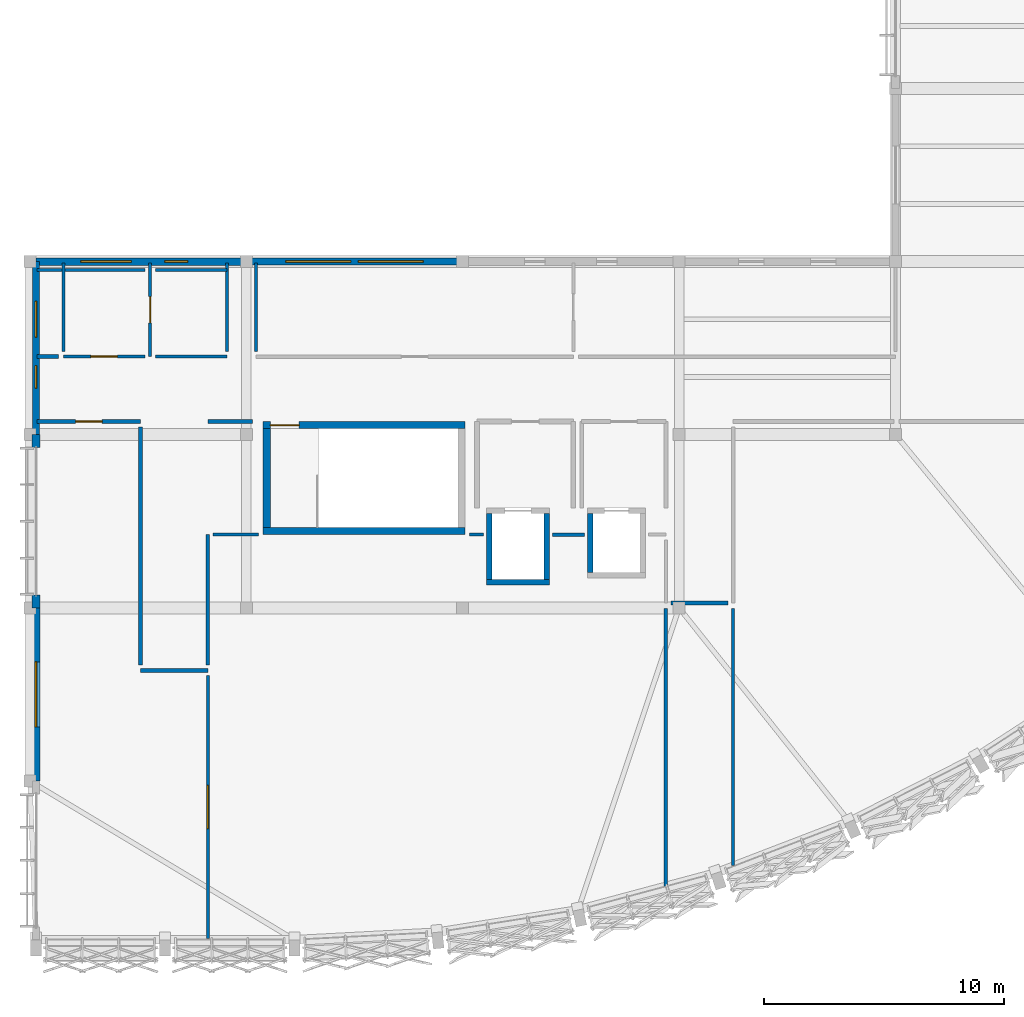
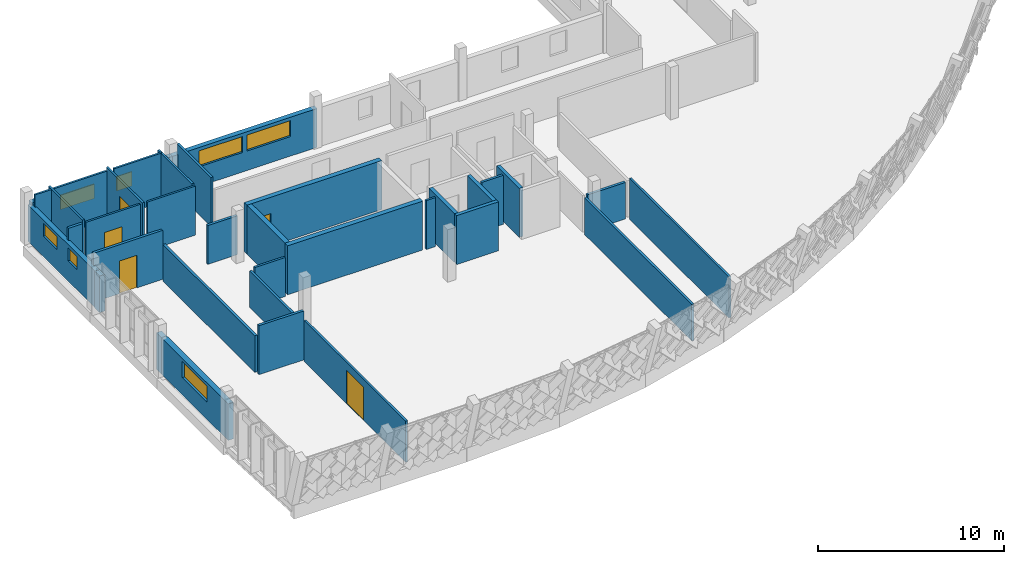
# One storey, part 21 of 24: 34 walls, 7 windows, 5 doors, 12 openings.
"""IFC4 building model written with IfcOpenShell, lengths in metres."""

from ifc_helpers import new_model, si_unit, direction, frame, frame_2d, origin, place, context, subcontext, project, spatial, rectangle, extrude, material, layer, layer_set, type_object, element, fill, save


model = new_model("IFC4")

# Units and contexts
model_context = context("Model", 3, precision=1e-05, world=origin(), true_north=direction((0.0, 1.0)))
body_context = subcontext(model_context, "Body", "Model", "MODEL_VIEW")
ifc_project = project(units=[si_unit("LENGTHUNIT", "METRE"), si_unit("AREAUNIT", "SQUARE_METRE"), si_unit("VOLUMEUNIT", "CUBIC_METRE"), si_unit("PLANEANGLEUNIT", "RADIAN"), si_unit("MASSUNIT", "GRAM", prefix="KILO")], contexts=[model_context])

# Site, building, storey
site_placement = place(None, origin())
site = spatial("IfcSite", under=ifc_project, at=site_placement, CompositionType="ELEMENT")
building_placement = place(site_placement, origin())
building = spatial("IfcBuilding", under=site, at=building_placement, Name="Chiffa Square Polytechnic", CompositionType="ELEMENT")
storey_placement = place(building_placement, frame((0.0, 0.0, 26.39990234375)))
storey = spatial("IfcBuildingStorey", under=building, at=storey_placement, Name="L06", CompositionType="ELEMENT", Elevation=26.39990234375)

# Wall
ifc_material_1 = material(Name="Concrete C40/50", Category="concrete")
ifc_layer_1 = layer(ifc_material_1, 0.300048828125, Name="Concrete C40/50")
ifc_layer_set_1 = layer_set([ifc_layer_1], Name="Concrete C40/50")
wall_type_1 = type_object("IfcWallType", Name="WL-CORE-300", PredefinedType="SHEAR", material=ifc_layer_set_1)
wall_1_placement = place(storey_placement, frame((121.89990234375, 17.60009765625, 0.0), z_axis=(0.0, 0.0, 1.0), x_axis=(1.0, 0.0, 0.0)))
element("IfcWall", 1, at=wall_1_placement, inside=storey, type_object=wall_type_1, Name="Core or enclosure wall WC-CORE-V1A-L06-SOUTH", PredefinedType="SHEAR", context=body_context, shape_type="SweptSolid", body=[
    extrude(rectangle(XDim=8.400146484375, YDim=0.300048828125, at=frame_2d((4.2001953125, 0.0))), origin(), (0.0, 0.0, 1.0), 3.22021484375),
])

# Wall, opening, door
wall_2_placement = place(storey_placement, frame((121.89990234375, 22.0, 0.0), z_axis=(0.0, 0.0, 1.0), x_axis=(1.0, 0.0, 0.0)))
wall_2 = element("IfcWall", 2, at=wall_2_placement, inside=storey, type_object=wall_type_1, Name="Core or enclosure wall WC-CORE-V1A-L06-NORTH", PredefinedType="SHEAR", context=body_context, shape_type="SweptSolid", body=[
    extrude(rectangle(XDim=8.400146484375, YDim=0.300048828125, at=frame_2d((4.2001953125, 0.0))), origin(), (0.0, 0.0, 1.0), 3.22021484375),
])
opening_1_placement = place(wall_2_placement, frame((0.300048828125, 0.0, 0.0)))
opening_1 = element("IfcOpeningElement", 3, at=opening_1_placement, cuts=wall_2, Name="Opening DS-L06-008", PredefinedType="OPENING", context=body_context, shape_type="SweptSolid", body=[
    extrude(rectangle(XDim=1.199951171875, YDim=2.14990234375, at=frame_2d((0.60009765625, 1.074951171875))), frame((0.0, 0.16015625, 0.0), z_axis=(0.0, -1.0, 0.0), x_axis=(1.0, 0.0, 0.0)), (0.0, 0.0, 1.0), 0.320068359375),
])
ifc_material_2 = material(Name="Fire-rated painted steel leaf", Category="steel")
door_type_1 = type_object("IfcDoorType", Name="DR-STAIR-1200", OperationType="NOTDEFINED", PredefinedType="DOOR", material=ifc_material_2)
door_1_placement = place(opening_1_placement, origin())
door_1 = element("IfcDoor", 4, at=door_1_placement, inside=storey, type_object=door_type_1, Name="Enclosure door DS-L06-008", OperationType="SINGLE_SWING_RIGHT", OverallHeight=2.14990234375, OverallWidth=1.199951171875, PredefinedType="DOOR", context=body_context, shape_type="SweptSolid", body=[
    extrude(rectangle(XDim=1.199951171875, YDim=2.14990234375, at=frame_2d((0.60009765625, 1.074951171875))), frame((0.0, 0.02490234375, 0.0), z_axis=(0.0, -1.0, 0.0), x_axis=(1.0, 0.0, 0.0)), (0.0, 0.0, 1.0), 0.050048828125),
])
fill(opening_1, door_1)

# Wall
wall_3_placement = place(storey_placement, frame((122.050048828125, 17.75, 0.0), z_axis=(0.0, 0.0, 1.0), x_axis=(0.0, 1.0, 0.0)))
element("IfcWall", 5, at=wall_3_placement, inside=storey, type_object=wall_type_1, Name="Core or enclosure wall WC-CORE-V1A-L06-WEST", PredefinedType="SHEAR", context=body_context, shape_type="SweptSolid", body=[
    extrude(rectangle(XDim=4.10009765625, YDim=0.300048828125, at=frame_2d((2.050048828125, 0.0))), origin(), (0.0, 0.0, 1.0), 3.22021484375),
])

# Wall, openings, windows
ifc_material_3 = material(Name="Precast concrete C40/50", Category="concrete")
ifc_layer_2 = layer(ifc_material_3, 0.300048828125, Name="Precast concrete C40/50")
ifc_layer_set_2 = layer_set([ifc_layer_2], Name="Precast concrete C40/50")
wall_type_2 = type_object("IfcWallType", Name="WL-EXT-PC300", PredefinedType="SOLIDWALL", material=ifc_layer_set_2)
wall_4_placement = place(storey_placement, frame((130.199951171875, 28.800048828125, 0.0), z_axis=(0.0, 0.0, 1.0), x_axis=(-1.0, 0.0, 0.0)))
wall_4 = element("IfcWall", 6, at=wall_4_placement, inside=storey, type_object=wall_type_2, Name="Exterior wall WE-V1-L06-0096", PredefinedType="SOLIDWALL", context=body_context, shape_type="SweptSolid", body=[
    extrude(rectangle(XDim=9.0, YDim=0.300048828125, at=frame_2d((4.5, 0.0))), origin(), (0.0, 0.0, 1.0), 2.55517578125),
])
opening_2_placement = place(wall_4_placement, frame((1.64990234375, 0.0, 1.284912109375)))
opening_2 = element("IfcOpeningElement", 7, at=opening_2_placement, cuts=wall_4, Name="Opening WCL-02", PredefinedType="OPENING", context=body_context, shape_type="SweptSolid", body=[
    extrude(rectangle(XDim=2.699951171875, YDim=1.050048828125, at=frame_2d((1.35009765625, 0.52490234375))), frame((0.0, 0.16015625, 0.0), z_axis=(0.0, -1.0, 0.0), x_axis=(1.0, 0.0, 0.0)), (0.0, 0.0, 1.0), 0.320068359375),
])
opening_3_placement = place(wall_4_placement, frame((4.64990234375, 0.0, 1.284912109375)))
opening_3 = element("IfcOpeningElement", 8, at=opening_3_placement, cuts=wall_4, Name="Opening WCL-02", PredefinedType="OPENING", context=body_context, shape_type="SweptSolid", body=[
    extrude(rectangle(XDim=2.699951171875, YDim=1.050048828125, at=frame_2d((1.35009765625, 0.52490234375))), frame((0.0, 0.16015625, 0.0), z_axis=(0.0, -1.0, 0.0), x_axis=(1.0, 0.0, 0.0)), (0.0, 0.0, 1.0), 0.320068359375),
])
ifc_material_4 = material(Name="Double glazing in thermally broken aluminium frame", Category="aluminium")
window_type_1 = type_object("IfcWindowType", Name="WIN-CLR-2700X1050", PartitioningType="DOUBLE_PANEL_VERTICAL", PredefinedType="WINDOW", material=ifc_material_4)
window_1_placement = place(opening_2_placement, origin())
window_1 = element("IfcWindow", 9, at=window_1_placement, inside=storey, type_object=window_type_1, Name="Facade window WN-L06-0097", OverallHeight=1.050048828125, OverallWidth=2.699951171875, PartitioningType="DOUBLE_PANEL_VERTICAL", PredefinedType="WINDOW", context=body_context, shape_type="SweptSolid", body=[
    extrude(rectangle(XDim=2.699951171875, YDim=1.050048828125, at=frame_2d((1.35009765625, 0.52490234375))), frame((0.0, 0.030029296875, 0.0), z_axis=(0.0, -1.0, 0.0), x_axis=(1.0, 0.0, 0.0)), (0.0, 0.0, 1.0), 0.06005859375),
])
fill(opening_2, window_1)
window_2_placement = place(opening_3_placement, origin())
window_2 = element("IfcWindow", 10, at=window_2_placement, inside=storey, type_object=window_type_1, Name="Facade window WN-L06-0098", OverallHeight=1.050048828125, OverallWidth=2.699951171875, PartitioningType="DOUBLE_PANEL_VERTICAL", PredefinedType="WINDOW", context=body_context, shape_type="SweptSolid", body=[
    extrude(rectangle(XDim=2.699951171875, YDim=1.050048828125, at=frame_2d((1.35009765625, 0.52490234375))), frame((0.0, 0.030029296875, 0.0), z_axis=(0.0, -1.0, 0.0), x_axis=(1.0, 0.0, 0.0)), (0.0, 0.0, 1.0), 0.06005859375),
])
fill(opening_3, window_2)

wall_5_placement = place(storey_placement, frame((112.449951171875, 28.800048828125, 0.0), z_axis=(0.0, 0.0, 1.0), x_axis=(0.0, -1.0, 0.0)))
wall_5 = element("IfcWall", 11, at=wall_5_placement, inside=storey, type_object=wall_type_2, Name="Exterior wall WE-V1-L06-0098", PredefinedType="SOLIDWALL", context=body_context, shape_type="SweptSolid", body=[
    extrude(rectangle(XDim=7.199951171875, YDim=0.300048828125, at=frame_2d((3.60009765625, 0.0))), origin(), (0.0, 0.0, 1.0), 2.405029296875),
])
opening_4_placement = place(wall_5_placement, frame((1.64990234375, 0.0, 1.3349609375)))
opening_4 = element("IfcOpeningElement", 12, at=opening_4_placement, cuts=wall_5, Name="Opening WCL-06", PredefinedType="OPENING", context=body_context, shape_type="SweptSolid", body=[
    extrude(rectangle(XDim=1.5, YDim=0.85009765625, at=frame_2d((0.75, 0.425048828125))), frame((0.0, 0.16015625, 0.0), z_axis=(0.0, -1.0, 0.0), x_axis=(1.0, 0.0, 0.0)), (0.0, 0.0, 1.0), 0.320068359375),
])
opening_5_placement = place(wall_5_placement, frame((4.324951171875, 0.0, 1.3349609375)))
opening_5 = element("IfcOpeningElement", 13, at=opening_5_placement, cuts=wall_5, Name="Opening W-31", PredefinedType="OPENING", context=body_context, shape_type="SweptSolid", body=[
    extrude(rectangle(XDim=0.949951171875, YDim=0.85009765625, at=frame_2d((0.47509765625, 0.425048828125))), frame((0.0, 0.16015625, 0.0), z_axis=(0.0, -1.0, 0.0), x_axis=(1.0, 0.0, 0.0)), (0.0, 0.0, 1.0), 0.320068359375),
])
window_type_2 = type_object("IfcWindowType", Name="WIN-CLR-1500X0850", PartitioningType="DOUBLE_PANEL_VERTICAL", PredefinedType="WINDOW", material=ifc_material_4)
window_3_placement = place(opening_4_placement, origin())
window_3 = element("IfcWindow", 14, at=window_3_placement, inside=storey, type_object=window_type_2, Name="Facade window WN-L06-0101", OverallHeight=0.85009765625, OverallWidth=1.5, PartitioningType="DOUBLE_PANEL_VERTICAL", PredefinedType="WINDOW", context=body_context, shape_type="SweptSolid", body=[
    extrude(rectangle(XDim=1.5, YDim=0.85009765625, at=frame_2d((0.75, 0.425048828125))), frame((0.0, 0.030029296875, 0.0), z_axis=(0.0, -1.0, 0.0), x_axis=(1.0, 0.0, 0.0)), (0.0, 0.0, 1.0), 0.06005859375),
])
fill(opening_4, window_3)
window_type_3 = type_object("IfcWindowType", Name="WIN-OFF-0950X0850", PartitioningType="DOUBLE_PANEL_VERTICAL", PredefinedType="WINDOW", material=ifc_material_4)
window_4_placement = place(opening_5_placement, origin())
window_4 = element("IfcWindow", 15, at=window_4_placement, inside=storey, type_object=window_type_3, Name="Facade window WN-L06-0102", OverallHeight=0.85009765625, OverallWidth=0.949951171875, PartitioningType="DOUBLE_PANEL_VERTICAL", PredefinedType="WINDOW", context=body_context, shape_type="SweptSolid", body=[
    extrude(rectangle(XDim=0.949951171875, YDim=0.85009765625, at=frame_2d((0.47509765625, 0.425048828125))), frame((0.0, 0.030029296875, 0.0), z_axis=(0.0, -1.0, 0.0), x_axis=(1.0, 0.0, 0.0)), (0.0, 0.0, 1.0), 0.06005859375),
])
fill(opening_5, window_4)

ifc_layer_3 = layer(ifc_material_3, 0.320068359375, Name="Precast concrete C40/50")
ifc_layer_set_3 = layer_set([ifc_layer_3], Name="Precast concrete C40/50")
wall_type_3 = type_object("IfcWallType", Name="WL-EXT-PC320", PredefinedType="SOLIDWALL", material=ifc_layer_set_3)
wall_6_placement = place(storey_placement, frame((121.199951171875, 28.800048828125, 0.0), z_axis=(0.0, 0.0, 1.0), x_axis=(-1.0, 0.0, 0.0)))
wall_6 = element("IfcWall", 16, at=wall_6_placement, inside=storey, type_object=wall_type_3, Name="Exterior wall WE-V1-L06-0097", PredefinedType="SOLIDWALL", context=body_context, shape_type="SweptSolid", body=[
    extrude(rectangle(XDim=8.75, YDim=0.320068359375, at=frame_2d((4.375, 0.0))), origin(), (0.0, 0.0, 1.0), 2.55517578125),
])
opening_6_placement = place(wall_6_placement, frame((2.44189453125, 0.0, 1.385009765625)))
opening_6 = element("IfcOpeningElement", 17, at=opening_6_placement, cuts=wall_6, Name="Opening W-29", PredefinedType="OPENING", context=body_context, shape_type="SweptSolid", body=[
    extrude(rectangle(XDim=0.949951171875, YDim=0.949951171875, at=frame_2d((0.47509765625, 0.47509765625))), frame((0.0, 0.169921875, 0.0), z_axis=(0.0, -1.0, 0.0), x_axis=(1.0, 0.0, 0.0)), (0.0, 0.0, 1.0), 0.340087890625),
])
opening_7_placement = place(wall_6_placement, frame((4.782958984375, 0.0, 1.385009765625)))
opening_7 = element("IfcOpeningElement", 18, at=opening_7_placement, cuts=wall_6, Name="Opening WCL-04", PredefinedType="OPENING", context=body_context, shape_type="SweptSolid", body=[
    extrude(rectangle(XDim=2.10009765625, YDim=0.949951171875, at=frame_2d((1.050048828125, 0.47509765625))), frame((0.0, 0.169921875, 0.0), z_axis=(0.0, -1.0, 0.0), x_axis=(1.0, 0.0, 0.0)), (0.0, 0.0, 1.0), 0.340087890625),
])
window_type_4 = type_object("IfcWindowType", Name="WIN-CLR-2100X0950", PartitioningType="DOUBLE_PANEL_VERTICAL", PredefinedType="WINDOW", material=ifc_material_4)
window_5_placement = place(opening_7_placement, origin())
window_5 = element("IfcWindow", 19, at=window_5_placement, inside=storey, type_object=window_type_4, Name="Facade window WN-L06-0100", OverallHeight=0.949951171875, OverallWidth=2.10009765625, PartitioningType="DOUBLE_PANEL_VERTICAL", PredefinedType="WINDOW", context=body_context, shape_type="SweptSolid", body=[
    extrude(rectangle(XDim=2.10009765625, YDim=0.949951171875, at=frame_2d((1.050048828125, 0.47509765625))), frame((0.0, 0.030029296875, 0.0), z_axis=(0.0, -1.0, 0.0), x_axis=(1.0, 0.0, 0.0)), (0.0, 0.0, 1.0), 0.06005859375),
])
fill(opening_7, window_5)
window_type_5 = type_object("IfcWindowType", Name="WIN-OFF-0950X0950", PartitioningType="DOUBLE_PANEL_VERTICAL", PredefinedType="WINDOW", material=ifc_material_4)
window_6_placement = place(opening_6_placement, origin())
window_6 = element("IfcWindow", 20, at=window_6_placement, inside=storey, type_object=window_type_5, Name="Facade window WN-L06-0099", OverallHeight=0.949951171875, OverallWidth=0.949951171875, PartitioningType="DOUBLE_PANEL_VERTICAL", PredefinedType="WINDOW", context=body_context, shape_type="SweptSolid", body=[
    extrude(rectangle(XDim=0.949951171875, YDim=0.949951171875, at=frame_2d((0.47509765625, 0.47509765625))), frame((0.0, 0.030029296875, 0.0), z_axis=(0.0, -1.0, 0.0), x_axis=(1.0, 0.0, 0.0)), (0.0, 0.0, 1.0), 0.06005859375),
])
fill(opening_6, window_6)

# Walls
for number, where, z_axis, x_axis, name in (
    (21, (112.449951171875, 21.60009765625, 0.0), (0.0, 0.0, 1.0), (0.0, -1.0, 0.0), "Facade column pier V1-L06-0099L"),
    (22, (112.449951171875, 14.93994140625, 0.0), (0.0, 0.0, 1.0), (0.0, -1.0, 0.0), "Facade column pier V1-L06-0099R"),
):
    element("IfcWall", number, at=place(storey_placement, frame(where, z_axis=z_axis, x_axis=x_axis)), inside=storey, type_object=wall_type_3, Name=name, PredefinedType="SOLIDWALL", context=body_context, shape_type="SweptSolid", body=[
        extrude(rectangle(XDim=0.5400390625, YDim=0.320068359375, at=frame_2d((0.27001953125, 0.0))), origin(), (0.0, 0.0, 1.0), 2.405029296875),
    ])

# Wall, opening, window
ifc_layer_4 = layer(ifc_material_3, 0.340087890625, Name="Precast concrete C40/50")
ifc_layer_set_4 = layer_set([ifc_layer_4], Name="Precast concrete C40/50")
wall_type_4 = type_object("IfcWallType", Name="WL-EXT-PC340", PredefinedType="SOLIDWALL", material=ifc_layer_set_4)
wall_7_placement = place(storey_placement, frame((112.449951171875, 14.39990234375, 0.0), z_axis=(0.0, 0.0, 1.0), x_axis=(0.0, -1.0, 0.0)))
wall_7 = element("IfcWall", 23, at=wall_7_placement, inside=storey, type_object=wall_type_4, Name="Exterior wall WE-V1-L06-0100", PredefinedType="SOLIDWALL", context=body_context, shape_type="SweptSolid", body=[
    extrude(rectangle(XDim=7.199951171875, YDim=0.340087890625, at=frame_2d((3.60009765625, 0.0))), origin(), (0.0, 0.0, 1.0), 2.405029296875),
])
opening_8_placement = place(wall_7_placement, frame((2.25, 0.0, 1.135009765625)))
opening_8 = element("IfcOpeningElement", 24, at=opening_8_placement, cuts=wall_7, Name="Opening WCL-02", PredefinedType="OPENING", context=body_context, shape_type="SweptSolid", body=[
    extrude(rectangle(XDim=2.699951171875, YDim=1.050048828125, at=frame_2d((1.35009765625, 0.52490234375))), frame((0.0, 0.18017578125, 0.0), z_axis=(0.0, -1.0, 0.0), x_axis=(1.0, 0.0, 0.0)), (0.0, 0.0, 1.0), 0.360107421875),
])
window_7_placement = place(opening_8_placement, origin())
window_7 = element("IfcWindow", 25, at=window_7_placement, inside=storey, type_object=window_type_1, Name="Facade window WN-L06-0103", OverallHeight=1.050048828125, OverallWidth=2.699951171875, PartitioningType="DOUBLE_PANEL_VERTICAL", PredefinedType="WINDOW", context=body_context, shape_type="SweptSolid", body=[
    extrude(rectangle(XDim=2.699951171875, YDim=1.050048828125, at=frame_2d((1.35009765625, 0.52490234375))), frame((0.0, 0.030029296875, 0.0), z_axis=(0.0, -1.0, 0.0), x_axis=(1.0, 0.0, 0.0)), (0.0, 0.0, 1.0), 0.06005859375),
])
fill(opening_8, window_7)

# Wall, opening, door
ifc_material_5 = material(Name="Gypsum board on steel stud", Category="steel")
ifc_layer_5 = layer(ifc_material_5, 0.125, Name="Gypsum board on steel stud")
ifc_layer_set_5 = layer_set([ifc_layer_5], Name="Gypsum board on steel stud")
wall_type_5 = type_object("IfcWallType", Name="WL-PART-125", PredefinedType="PARTITIONING", material=ifc_layer_set_5)
wall_8_placement = place(storey_placement, frame((119.60009765625, 0.65087890625, 0.0), z_axis=(0.0, 0.0, 1.0), x_axis=(0.0, 1.0, 0.0)))
wall_8 = element("IfcWall", 26, at=wall_8_placement, inside=storey, type_object=wall_type_5, Name="Interior partition WP-V1-L06-0728", PredefinedType="PARTITIONING", context=body_context, shape_type="SweptSolid", body=[
    extrude(rectangle(XDim=10.92919921875, YDim=0.125, at=frame_2d((5.464599609375, 0.0))), origin(), (0.0, 0.0, 1.0), 2.705078125),
])
opening_9_placement = place(wall_8_placement, frame((4.56396484375, 0.0, 0.0)))
opening_9 = element("IfcOpeningElement", 27, at=opening_9_placement, cuts=wall_8, Name="Opening DI-L06-245", PredefinedType="OPENING", context=body_context, shape_type="SweptSolid", body=[
    extrude(rectangle(XDim=1.800048828125, YDim=2.199951171875, at=frame_2d((0.89990234375, 1.10009765625))), frame((0.0, 0.072509765625, 0.0), z_axis=(0.0, -1.0, 0.0), x_axis=(1.0, 0.0, 0.0)), (0.0, 0.0, 1.0), 0.14501953125),
])
ifc_material_6 = material(Name="Solid oak fire door pair")
door_type_2 = type_object("IfcDoorType", Name="DR-CORR-DBL-1800", OperationType="DOUBLE_DOOR_SINGLE_SWING", PredefinedType="DOOR", material=ifc_material_6)
door_2_placement = place(opening_9_placement, origin())
door_2 = element("IfcDoor", 28, at=door_2_placement, inside=storey, type_object=door_type_2, Name="Interior room door DI-L06-245", OperationType="DOUBLE_DOOR_SINGLE_SWING", OverallHeight=2.199951171875, OverallWidth=1.800048828125, PredefinedType="DOOR", context=body_context, shape_type="SweptSolid", body=[
    extrude(rectangle(XDim=1.800048828125, YDim=2.199951171875, at=frame_2d((0.89990234375, 1.10009765625))), frame((0.0, 0.02490234375, 0.0), z_axis=(0.0, -1.0, 0.0), x_axis=(1.0, 0.0, 0.0)), (0.0, 0.0, 1.0), 0.050048828125),
])
fill(opening_9, door_2)

# Walls
wall_9_placement = place(storey_placement, frame((130.487060546875, 17.449951171875, 0.0), z_axis=(0.0, 0.0, 1.0), x_axis=(1.0, 0.0, 0.0)))
element("IfcWall", 29, at=wall_9_placement, inside=storey, type_object=wall_type_5, Name="Interior partition WP-V1-L06-0740", PredefinedType="PARTITIONING", context=body_context, shape_type="SweptSolid", body=[
    extrude(rectangle(XDim=0.5830078125, YDim=0.125, at=frame_2d((0.29150390625, 0.0))), origin(), (0.0, 0.0, 1.0), 3.22021484375),
])
wall_10_placement = place(storey_placement, frame((141.449951171875, 3.680908203125, 0.0), z_axis=(0.0, 0.0, 1.0), x_axis=(0.0, 1.0, 0.0)))
element("IfcWall", 30, at=wall_10_placement, inside=storey, type_object=wall_type_5, Name="Interior partition WP-V1-L06-0746", PredefinedType="PARTITIONING", context=body_context, shape_type="SweptSolid", body=[
    extrude(rectangle(XDim=10.698974609375, YDim=0.125, at=frame_2d((5.349609375, 0.0))), origin(), (0.0, 0.0, 1.0), 2.705078125),
])
ifc_layer_6 = layer(ifc_material_5, 0.135009765625, Name="Gypsum board on steel stud")
ifc_layer_set_6 = layer_set([ifc_layer_6], Name="Gypsum board on steel stud")
wall_type_6 = type_object("IfcWallType", Name="WL-PART-135", PredefinedType="PARTITIONING", material=ifc_layer_set_6)
wall_11_placement = place(storey_placement, frame((121.60009765625, 25.070068359375, 0.0), z_axis=(0.0, 0.0, 1.0), x_axis=(0.0, 1.0, 0.0)))
element("IfcWall", 31, at=wall_11_placement, inside=storey, type_object=wall_type_6, Name="Interior partition WP-V1-L06-0721", PredefinedType="PARTITIONING", context=body_context, shape_type="SweptSolid", body=[
    extrude(rectangle(XDim=3.675048828125, YDim=0.135009765625, at=frame_2d((1.83740234375, 0.0))), origin(), (0.0, 0.0, 1.0), 3.22021484375),
])
wall_12_placement = place(storey_placement, frame((119.820068359375, 17.449951171875, 0.0), z_axis=(0.0, 0.0, 1.0), x_axis=(1.0, 0.0, 0.0)))
element("IfcWall", 32, at=wall_12_placement, inside=storey, type_object=wall_type_6, Name="Interior partition WP-V1-L06-0739", PredefinedType="PARTITIONING", context=body_context, shape_type="SweptSolid", body=[
    extrude(rectangle(XDim=1.892822265625, YDim=0.135009765625, at=frame_2d((0.9462890625, 0.0))), origin(), (0.0, 0.0, 1.0), 2.55517578125),
])
ifc_layer_7 = layer(ifc_material_5, 0.14501953125, Name="Gypsum board on steel stud")
ifc_layer_set_7 = layer_set([ifc_layer_7], Name="Gypsum board on steel stud")
wall_type_7 = type_object("IfcWallType", Name="WL-PART-145", PredefinedType="PARTITIONING", material=ifc_layer_set_7)
wall_13_placement = place(storey_placement, frame((119.60009765625, 12.02001953125, 0.0), z_axis=(0.0, 0.0, 1.0), x_axis=(0.0, 1.0, 0.0)))
element("IfcWall", 33, at=wall_13_placement, inside=storey, type_object=wall_type_7, Name="Interior partition WP-V1-L06-0738", PredefinedType="PARTITIONING", context=body_context, shape_type="SweptSolid", body=[
    extrude(rectangle(XDim=5.429931640625, YDim=0.14501953125, at=frame_2d((2.71484375, 0.0))), origin(), (0.0, 0.0, 1.0), 2.405029296875),
])
wall_14_placement = place(storey_placement, frame((133.929931640625, 17.449951171875, 0.0), z_axis=(0.0, 0.0, 1.0), x_axis=(1.0, 0.0, 0.0)))
element("IfcWall", 34, at=wall_14_placement, inside=storey, type_object=wall_type_7, Name="Interior partition WP-V1-L06-0741", PredefinedType="PARTITIONING", context=body_context, shape_type="SweptSolid", body=[
    extrude(rectangle(XDim=1.340087890625, YDim=0.14501953125, at=frame_2d((0.669921875, 0.0))), origin(), (0.0, 0.0, 1.0), 3.22021484375),
])
wall_15_placement = place(storey_placement, frame((138.64990234375, 2.81005859375, 0.0), z_axis=(0.0, 0.0, 1.0), x_axis=(0.0, 1.0, 0.0)))
element("IfcWall", 35, at=wall_15_placement, inside=storey, type_object=wall_type_7, Name="Interior partition WP-V1-L06-0744", PredefinedType="PARTITIONING", context=body_context, shape_type="SweptSolid", body=[
    extrude(rectangle(XDim=11.56982421875, YDim=0.14501953125, at=frame_2d((5.784912109375, 0.0))), origin(), (0.0, 0.0, 1.0), 2.405029296875),
])

# Wall, opening, door
ifc_material_7 = material(Name="Gypsum board on acoustic steel stud", Category="steel")
ifc_layer_8 = layer(ifc_material_7, 0.159912109375, Name="Gypsum board on acoustic steel stud")
ifc_layer_set_8 = layer_set([ifc_layer_8], Name="Gypsum board on acoustic steel stud")
wall_type_8 = type_object("IfcWallType", Name="WL-PART-EI60-160", PredefinedType="PARTITIONING", material=ifc_layer_set_8)
wall_16_placement = place(storey_placement, frame((112.5048828125, 22.14990234375, 0.0), z_axis=(0.0, 0.0, 1.0), x_axis=(1.0, 0.0, 0.0)))
wall_16 = element("IfcWall", 36, at=wall_16_placement, inside=storey, type_object=wall_type_8, Name="Interior partition WP-V1-L06-0725", PredefinedType="PARTITIONING", context=body_context, shape_type="SweptSolid", body=[
    extrude(rectangle(XDim=4.295166015625, YDim=0.159912109375, at=frame_2d((2.1474609375, 0.0))), origin(), (0.0, 0.0, 1.0), 3.22021484375),
])
opening_10_placement = place(wall_16_placement, frame((1.597900390625, 0.0, 0.0)))
opening_10 = element("IfcOpeningElement", 37, at=opening_10_placement, cuts=wall_16, Name="Opening DI-L06-244", PredefinedType="OPENING", context=body_context, shape_type="SweptSolid", body=[
    extrude(rectangle(XDim=1.10009765625, YDim=2.14990234375, at=frame_2d((0.550048828125, 1.074951171875))), frame((0.0, 0.08984375, 0.0), z_axis=(0.0, -1.0, 0.0), x_axis=(1.0, 0.0, 0.0)), (0.0, 0.0, 1.0), 0.179931640625),
])
ifc_material_8 = material(Name="Solid core ash veneer door")
door_type_3 = type_object("IfcDoorType", Name="DR-INT-1100", OperationType="NOTDEFINED", PredefinedType="DOOR", material=ifc_material_8)
door_3_placement = place(opening_10_placement, origin())
door_3 = element("IfcDoor", 38, at=door_3_placement, inside=storey, type_object=door_type_3, Name="Interior room door DI-L06-244", OperationType="SINGLE_SWING_LEFT", OverallHeight=2.14990234375, OverallWidth=1.10009765625, PredefinedType="DOOR", context=body_context, shape_type="SweptSolid", body=[
    extrude(rectangle(XDim=1.10009765625, YDim=2.14990234375, at=frame_2d((0.550048828125, 1.074951171875))), frame((0.0, 0.02490234375, 0.0), z_axis=(0.0, -1.0, 0.0), x_axis=(1.0, 0.0, 0.0)), (0.0, 0.0, 1.0), 0.050048828125),
])
fill(opening_10, door_3)

# Walls
wall_17_placement = place(storey_placement, frame((116.800048828125, 11.800048828125, 0.0), z_axis=(0.0, 0.0, 1.0), x_axis=(1.0, 0.0, 0.0)))
element("IfcWall", 39, at=wall_17_placement, inside=storey, type_object=wall_type_8, Name="Interior partition WP-V1-L06-0726", PredefinedType="PARTITIONING", context=body_context, shape_type="SweptSolid", body=[
    extrude(rectangle(XDim=2.800048828125, YDim=0.159912109375, at=frame_2d((1.39990234375, 0.0))), origin(), (0.0, 0.0, 1.0), 3.22021484375),
])
wall_18_placement = place(storey_placement, frame((116.800048828125, 12.02001953125, 0.0), z_axis=(0.0, 0.0, 1.0), x_axis=(0.0, 1.0, 0.0)))
element("IfcWall", 40, at=wall_18_placement, inside=storey, type_object=wall_type_8, Name="Interior partition WP-V1-L06-0727", PredefinedType="PARTITIONING", context=body_context, shape_type="SweptSolid", body=[
    extrude(rectangle(XDim=9.909912109375, YDim=0.159912109375, at=frame_2d((4.955078125, 0.0))), origin(), (0.0, 0.0, 1.0), 2.405029296875),
])
wall_19_placement = place(storey_placement, frame((112.5048828125, 24.85009765625, 0.0), z_axis=(0.0, 0.0, 1.0), x_axis=(1.0, 0.0, 0.0)))
element("IfcWall", 41, at=wall_19_placement, inside=storey, type_object=wall_type_8, Name="Interior partition WP-V1-L06-0747", PredefinedType="PARTITIONING", context=body_context, shape_type="SweptSolid", body=[
    extrude(rectangle(XDim=0.875, YDim=0.159912109375, at=frame_2d((0.4375, 0.0))), origin(), (0.0, 0.0, 1.0), 3.22021484375),
])
wall_20_placement = place(storey_placement, frame((138.8701171875, 14.60009765625, 0.0), z_axis=(0.0, 0.0, 1.0), x_axis=(1.0, 0.0, 0.0)))
element("IfcWall", 42, at=wall_20_placement, inside=storey, type_object=wall_type_8, Name="Interior partition WP-V1-L06-0748", PredefinedType="PARTITIONING", context=body_context, shape_type="SweptSolid", body=[
    extrude(rectangle(XDim=2.35986328125, YDim=0.159912109375, at=frame_2d((1.179931640625, 0.0))), origin(), (0.0, 0.0, 1.0), 2.405029296875),
])
wall_21_placement = place(storey_placement, frame((119.60009765625, 22.14990234375, 0.0), z_axis=(0.0, 0.0, 1.0), x_axis=(1.0, 0.0, 0.0)))
element("IfcWall", 43, at=wall_21_placement, inside=storey, type_object=wall_type_8, Name="Interior partition WP-V1-L06-0749", PredefinedType="PARTITIONING", context=body_context, shape_type="SweptSolid", body=[
    extrude(rectangle(XDim=1.85888671875, YDim=0.159912109375, at=frame_2d((0.929443359375, 0.0))), origin(), (0.0, 0.0, 1.0), 2.55517578125),
])

# Wall, opening, door
ifc_material_9 = material(Name="Moisture-resistant board partition")
ifc_layer_9 = layer(ifc_material_9, 0.1201171875, Name="Moisture-resistant board partition")
ifc_layer_set_9 = layer_set([ifc_layer_9], Name="Moisture-resistant board partition")
wall_type_9 = type_object("IfcWallType", Name="WL-PART-WC-120", PredefinedType="PARTITIONING", material=ifc_layer_set_9)
wall_22_placement = place(storey_placement, frame((117.199951171875, 24.85009765625, 0.0), z_axis=(0.0, 0.0, 1.0), x_axis=(0.0, 1.0, 0.0)))
wall_22 = element("IfcWall", 44, at=wall_22_placement, inside=storey, type_object=wall_type_9, Name="Interior partition WP-V1-L06-0713", PredefinedType="PARTITIONING", context=body_context, shape_type="SweptSolid", body=[
    extrude(rectangle(XDim=3.89501953125, YDim=0.1201171875, at=frame_2d((1.947509765625, 0.0))), origin(), (0.0, 0.0, 1.0), 3.22021484375),
])
opening_11_placement = place(wall_22_placement, frame((1.39697265625, 0.0, 0.0)))
opening_11 = element("IfcOpeningElement", 45, at=opening_11_placement, cuts=wall_22, Name="Opening DI-L06-240", PredefinedType="OPENING", context=body_context, shape_type="SweptSolid", body=[
    extrude(rectangle(XDim=1.10009765625, YDim=2.14990234375, at=frame_2d((0.550048828125, 1.074951171875))), frame((0.0, 0.070068359375, 0.0), z_axis=(0.0, -1.0, 0.0), x_axis=(1.0, 0.0, 0.0)), (0.0, 0.0, 1.0), 0.14013671875),
])
door_4_placement = place(opening_11_placement, origin())
door_4 = element("IfcDoor", 46, at=door_4_placement, inside=storey, type_object=door_type_3, Name="Interior room door DI-L06-240", OperationType="SINGLE_SWING_LEFT", OverallHeight=2.14990234375, OverallWidth=1.10009765625, PredefinedType="DOOR", context=body_context, shape_type="SweptSolid", body=[
    extrude(rectangle(XDim=1.10009765625, YDim=2.14990234375, at=frame_2d((0.550048828125, 1.074951171875))), frame((0.0, 0.02490234375, 0.0), z_axis=(0.0, -1.0, 0.0), x_axis=(1.0, 0.0, 0.0)), (0.0, 0.0, 1.0), 0.050048828125),
])
fill(opening_11, door_4)

# Walls
for number, where, z_axis, x_axis, name in (
    (47, (117.419921875, 24.85009765625, 0.0), (0.0, 0.0, 1.0), (1.0, 0.0, 0.0), "Interior partition WP-V1-L06-0714"),
    (48, (117.419921875, 28.449951171875, 0.0), (0.0, 0.0, 1.0), (1.0, 0.0, 0.0), "Interior partition WP-V1-L06-0715"),
):
    element("IfcWall", number, at=place(storey_placement, frame(where, z_axis=z_axis, x_axis=x_axis)), inside=storey, type_object=wall_type_9, Name=name, PredefinedType="PARTITIONING", context=body_context, shape_type="SweptSolid", body=[
        extrude(rectangle(XDim=2.97998046875, YDim=0.1201171875, at=frame_2d((1.489990234375, 0.0))), origin(), (0.0, 0.0, 1.0), 3.22021484375),
    ])
wall_23_placement = place(storey_placement, frame((120.39990234375, 25.070068359375, 0.0), z_axis=(0.0, 0.0, 1.0), x_axis=(0.0, 1.0, 0.0)))
element("IfcWall", 49, at=wall_23_placement, inside=storey, type_object=wall_type_9, Name="Interior partition WP-V1-L06-0716", PredefinedType="PARTITIONING", context=body_context, shape_type="SweptSolid", body=[
    extrude(rectangle(XDim=3.675048828125, YDim=0.1201171875, at=frame_2d((1.83740234375, 0.0))), origin(), (0.0, 0.0, 1.0), 3.22021484375),
])
wall_24_placement = place(storey_placement, frame((112.5048828125, 28.449951171875, 0.0), z_axis=(0.0, 0.0, 1.0), x_axis=(1.0, 0.0, 0.0)))
element("IfcWall", 50, at=wall_24_placement, inside=storey, type_object=wall_type_9, Name="Interior partition WP-V1-L06-0717", PredefinedType="PARTITIONING", context=body_context, shape_type="SweptSolid", body=[
    extrude(rectangle(XDim=4.47509765625, YDim=0.1201171875, at=frame_2d((2.237548828125, 0.0))), origin(), (0.0, 0.0, 1.0), 3.22021484375),
])

# Wall, opening, door
wall_25_placement = place(storey_placement, frame((113.60009765625, 24.85009765625, 0.0), z_axis=(0.0, 0.0, 1.0), x_axis=(1.0, 0.0, 0.0)))
wall_25 = element("IfcWall", 51, at=wall_25_placement, inside=storey, type_object=wall_type_9, Name="Interior partition WP-V1-L06-0718", PredefinedType="PARTITIONING", context=body_context, shape_type="SweptSolid", body=[
    extrude(rectangle(XDim=3.3798828125, YDim=0.1201171875, at=frame_2d((1.68994140625, 0.0))), origin(), (0.0, 0.0, 1.0), 3.22021484375),
])
opening_12_placement = place(wall_25_placement, frame((1.139892578125, 0.0, 0.0)))
opening_12 = element("IfcOpeningElement", 52, at=opening_12_placement, cuts=wall_25, Name="Opening DI-L06-241", PredefinedType="OPENING", context=body_context, shape_type="SweptSolid", body=[
    extrude(rectangle(XDim=1.10009765625, YDim=2.14990234375, at=frame_2d((0.550048828125, 1.074951171875))), frame((0.0, 0.070068359375, 0.0), z_axis=(0.0, -1.0, 0.0), x_axis=(1.0, 0.0, 0.0)), (0.0, 0.0, 1.0), 0.14013671875),
])
door_5_placement = place(opening_12_placement, origin())
door_5 = element("IfcDoor", 53, at=door_5_placement, inside=storey, type_object=door_type_3, Name="Interior room door DI-L06-241", OperationType="SINGLE_SWING_RIGHT", OverallHeight=2.14990234375, OverallWidth=1.10009765625, PredefinedType="DOOR", context=body_context, shape_type="SweptSolid", body=[
    extrude(rectangle(XDim=1.10009765625, YDim=2.14990234375, at=frame_2d((0.550048828125, 1.074951171875))), frame((0.0, 0.02490234375, 0.0), z_axis=(0.0, -1.0, 0.0), x_axis=(1.0, 0.0, 0.0)), (0.0, 0.0, 1.0), 0.050048828125),
])
fill(opening_12, door_5)

# Walls
wall_26_placement = place(storey_placement, frame((113.60009765625, 25.070068359375, 0.0), z_axis=(0.0, 0.0, 1.0), x_axis=(0.0, 1.0, 0.0)))
element("IfcWall", 54, at=wall_26_placement, inside=storey, type_object=wall_type_9, Name="Interior partition WP-V1-L06-0719", PredefinedType="PARTITIONING", context=body_context, shape_type="SweptSolid", body=[
    extrude(rectangle(XDim=3.675048828125, YDim=0.1201171875, at=frame_2d((1.83740234375, 0.0))), origin(), (0.0, 0.0, 1.0), 3.22021484375),
])
ifc_material_10 = material(Name="Concrete C35/45", Category="concrete")
ifc_layer_10 = layer(ifc_material_10, 0.219970703125, Name="Concrete C35/45")
ifc_layer_set_10 = layer_set([ifc_layer_10], Name="Concrete C35/45")
wall_type_10 = type_object("IfcWallType", Name="WL-SHAFT-220", PredefinedType="SHEAR", material=ifc_layer_set_10)
wall_27_placement = place(storey_placement, frame((131.199951171875, 15.4599609375, 0.0), z_axis=(0.0, 0.0, 1.0), x_axis=(1.0, 0.0, 0.0)))
element("IfcWall", 55, at=wall_27_placement, inside=storey, type_object=wall_type_10, Name="Core or enclosure wall WS-LF-V1-L06-SOUTH", PredefinedType="SHEAR", context=body_context, shape_type="SweptSolid", body=[
    extrude(rectangle(XDim=2.60009765625, YDim=0.219970703125, at=frame_2d((1.300048828125, 0.0))), origin(), (0.0, 0.0, 1.0), 3.22021484375),
])
for number, where, z_axis, x_axis, name in (
    (56, (131.31005859375, 15.570068359375, 0.0), (0.0, 0.0, 1.0), (0.0, 1.0, 0.0), "Core or enclosure wall WS-LF-V1-L06-WEST"),
    (57, (133.68994140625, 15.570068359375, 0.0), (0.0, 0.0, 1.0), (0.0, 1.0, 0.0), "Core or enclosure wall WS-LF-V1-L06-EAST"),
):
    element("IfcWall", number, at=place(storey_placement, frame(where, z_axis=z_axis, x_axis=x_axis)), inside=storey, type_object=wall_type_10, Name=name, PredefinedType="SHEAR", context=body_context, shape_type="SweptSolid", body=[
        extrude(rectangle(XDim=2.760009765625, YDim=0.219970703125, at=frame_2d((1.3798828125, 0.0))), origin(), (0.0, 0.0, 1.0), 3.22021484375),
    ])
wall_28_placement = place(storey_placement, frame((135.510009765625, 15.8701171875, 0.0), z_axis=(0.0, 0.0, 1.0), x_axis=(0.0, 1.0, 0.0)))
element("IfcWall", 58, at=wall_28_placement, inside=storey, type_object=wall_type_10, Name="Core or enclosure wall WS-LP-V1A-L06-WEST", PredefinedType="SHEAR", context=body_context, shape_type="SweptSolid", body=[
    extrude(rectangle(XDim=2.4599609375, YDim=0.219970703125, at=frame_2d((1.22998046875, 0.0))), origin(), (0.0, 0.0, 1.0), 3.22021484375),
])

save(model, "model.ifc")
